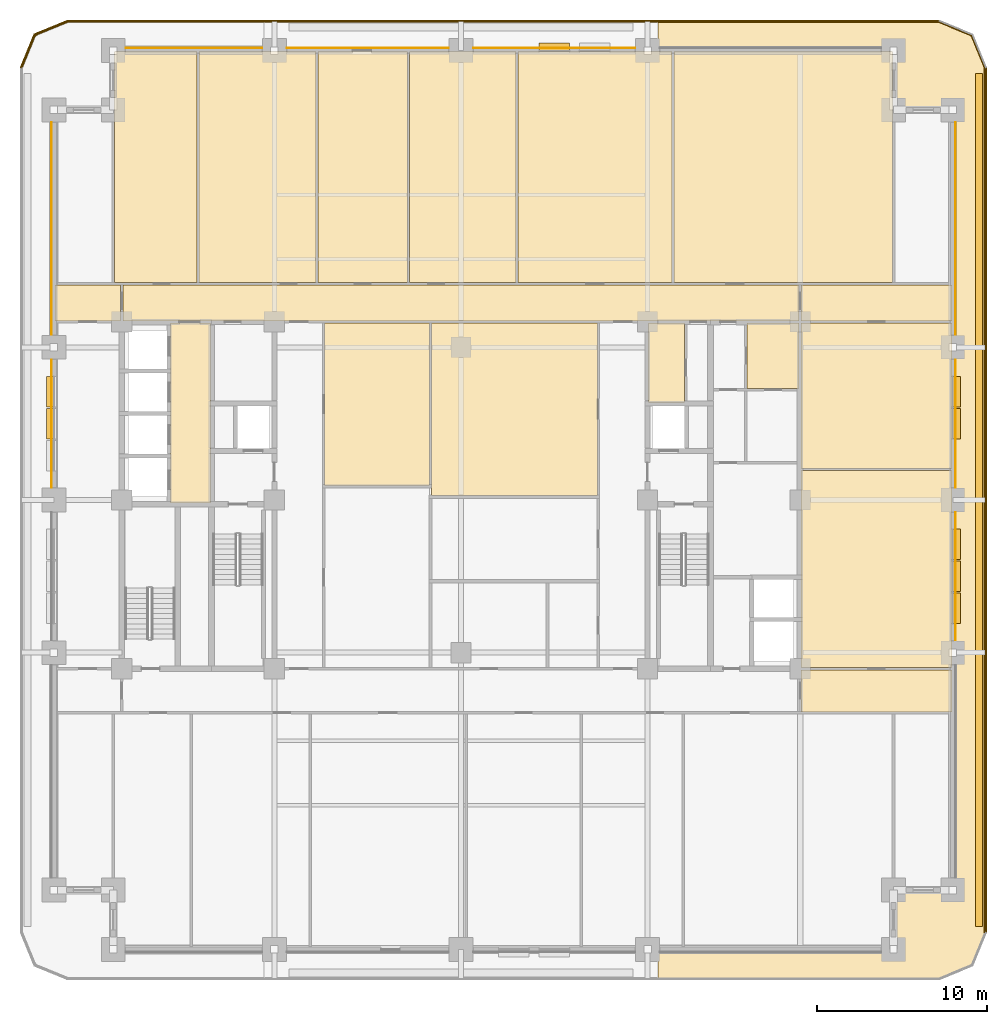
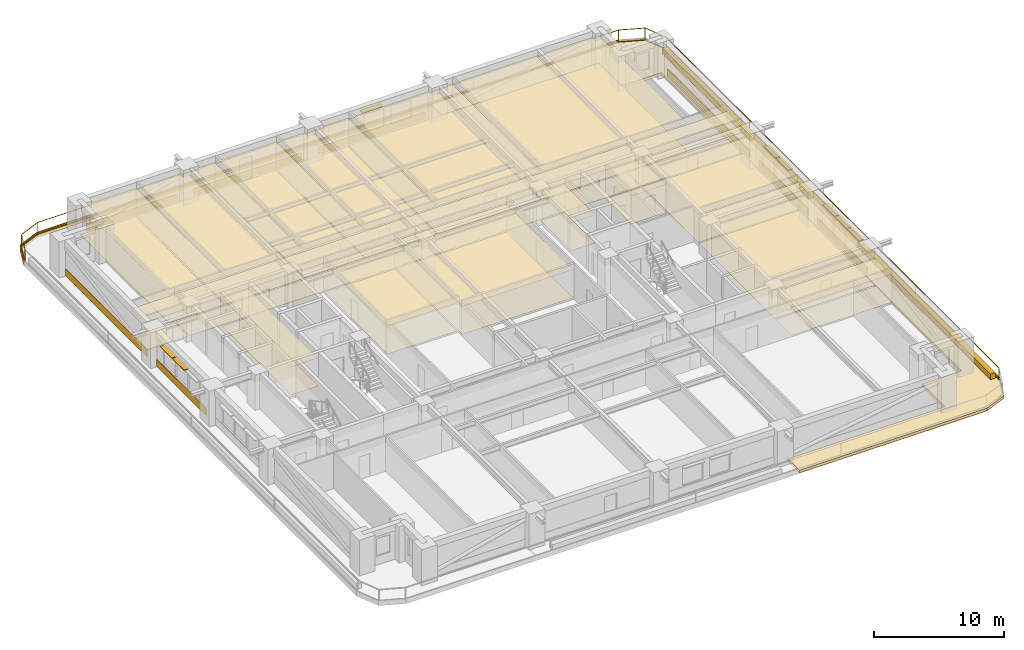
# One storey, part 14 of 15: 48 coverings, 8 shading devices, 2 railings.
"""IFC4 building model written with IfcOpenShell, lengths in metres."""

from ifc_helpers import new_model, si_unit, direction, frame, frame_2d, origin, origin_2d, place, context, subcontext, project, spatial, polyline, rectangle, outline, extrude, material, layer, layer_set, type_object, element, save


model = new_model("IFC4")

# Units and contexts
model_context = context("Model", 3, precision=1e-05, world=origin(), true_north=direction((0.0, 1.0)))
body_context = subcontext(model_context, "Body", "Model", "MODEL_VIEW")
ifc_project = project(units=[si_unit("LENGTHUNIT", "METRE"), si_unit("AREAUNIT", "SQUARE_METRE"), si_unit("VOLUMEUNIT", "CUBIC_METRE"), si_unit("PLANEANGLEUNIT", "RADIAN"), si_unit("MASSUNIT", "GRAM", prefix="KILO")], contexts=[model_context])

# Site, building, storey
site_placement = place(None, origin())
site = spatial("IfcSite", under=ifc_project, at=site_placement, CompositionType="ELEMENT")
building_placement = place(site_placement, origin())
building = spatial("IfcBuilding", under=site, at=building_placement, Name="Zulmaris Gate Convention Tower", CompositionType="ELEMENT")
storey_placement = place(building_placement, frame((0.0, 0.0, 37.909912109375)))
storey = spatial("IfcBuildingStorey", under=building, at=storey_placement, Name="L08", CompositionType="ELEMENT", Elevation=37.909912109375)

# Coverings
ifc_material_1 = material(Name="Precast concrete C40/50", Category="concrete")
ifc_layer_1 = layer(ifc_material_1, 0.0400390625, Name="Precast concrete C40/50")
ifc_layer_set_1 = layer_set([ifc_layer_1], Name="Precast concrete C40/50")
covering_type_1 = type_object("IfcCoveringType", Name="CLAD-SPANDREL-PRECAST", PredefinedType="CLADDING", material=ifc_layer_set_1)
covering_1_placement = place(storey_placement, frame((-11.72998046875, 26.64990234375, 0.0), z_axis=(0.0, 0.0, 1.0), x_axis=(-1.0, 0.0, 0.0)))
element("IfcCovering", 1, at=covering_1_placement, inside=storey, type_object=covering_type_1, Name="CLD-L08-N-0_0", PredefinedType="CLADDING", context=body_context, shape_type="SweptSolid", body=[
    extrude(rectangle(XDim=8.0400390625, YDim=0.0400390625, at=frame_2d((4.02001953125, 0.0))), origin(), (0.0, 0.0, 1.0), 0.679931640625),
])
for number, where, z_axis, x_axis, name in (
    (2, (-0.72998046875, 26.64990234375, 0.0), (0.0, 0.0, 1.0), (-1.0, 0.0, 0.0), "CLD-L08-N-1_0"),
    (3, (10.27001953125, 26.64990234375, 0.0), (0.0, 0.0, 1.0), (-1.0, 0.0, 0.0), "CLD-L08-N-2_0"),
):
    element("IfcCovering", number, at=place(storey_placement, frame(where, z_axis=z_axis, x_axis=x_axis)), inside=storey, type_object=covering_type_1, Name=name, PredefinedType="CLADDING", context=body_context, shape_type="SweptSolid", body=[
        extrude(rectangle(XDim=9.5400390625, YDim=0.0400390625, at=frame_2d((4.77001953125, 0.0))), origin(), (0.0, 0.0, 1.0), 0.679931640625),
    ])
for number, where, z_axis, x_axis, name in (
    (4, (29.14990234375, -8.27001953125, 0.0), (0.0, 0.0, 1.0), (0.0, 1.0, 0.0), "CLD-L08-E-1_0"),
    (5, (29.14990234375, 0.72998046875, 0.0), (0.0, 0.0, 1.0), (0.0, 1.0, 0.0), "CLD-L08-E-2_0"),
):
    element("IfcCovering", number, at=place(storey_placement, frame(where, z_axis=z_axis, x_axis=x_axis)), inside=storey, type_object=covering_type_1, Name=name, PredefinedType="CLADDING", context=body_context, shape_type="SweptSolid", body=[
        extrude(rectangle(XDim=7.5400390625, YDim=0.0400390625, at=frame_2d((3.77001953125, 0.0))), origin(), (0.0, 0.0, 1.0), 0.679931640625),
    ])
covering_2_placement = place(storey_placement, frame((29.14990234375, 9.72998046875, 0.0), z_axis=(0.0, 0.0, 1.0), x_axis=(0.0, 1.0, 0.0)))
element("IfcCovering", 6, at=covering_2_placement, inside=storey, type_object=covering_type_1, Name="CLD-L08-E-3_0", PredefinedType="CLADDING", context=body_context, shape_type="SweptSolid", body=[
    extrude(rectangle(XDim=12.5400390625, YDim=0.0400390625, at=frame_2d((6.27001953125, 0.0))), origin(), (0.0, 0.0, 1.0), 0.679931640625),
])
covering_3_placement = place(storey_placement, frame((-24.14990234375, 8.27001953125, 0.0), z_axis=(0.0, 0.0, 1.0), x_axis=(0.0, -1.0, 0.0)))
element("IfcCovering", 7, at=covering_3_placement, inside=storey, type_object=covering_type_1, Name="CLD-L08-W-2_0", PredefinedType="CLADDING", context=body_context, shape_type="SweptSolid", body=[
    extrude(rectangle(XDim=7.5400390625, YDim=0.0400390625, at=frame_2d((3.77001953125, 0.0))), origin(), (0.0, 0.0, 1.0), 0.679931640625),
])
covering_4_placement = place(storey_placement, frame((-24.14990234375, 22.27001953125, 0.0), z_axis=(0.0, 0.0, 1.0), x_axis=(0.0, -1.0, 0.0)))
element("IfcCovering", 8, at=covering_4_placement, inside=storey, type_object=covering_type_1, Name="CLD-L08-W-3_0", PredefinedType="CLADDING", context=body_context, shape_type="SweptSolid", body=[
    extrude(rectangle(XDim=12.5400390625, YDim=0.0400390625, at=frame_2d((6.27001953125, 0.0))), origin(), (0.0, 0.0, 1.0), 0.679931640625),
])
ifc_material_2 = material(Name="White Glazed Architectural Precast Concrete C40/50", Category="concrete")
ifc_layer_2 = layer(ifc_material_2, 0.239990234375, Name="White Glazed Architectural Precast Concrete C40/50")
ifc_layer_set_2 = layer_set([ifc_layer_2], Name="White Glazed Architectural Precast Concrete C40/50")
covering_type_2 = type_object("IfcCoveringType", Name="CLAD-TRAY-DECK", PredefinedType="CLADDING", material=ifc_layer_set_2)
covering_5_placement = place(storey_placement, frame((0.0, 0.0, -0.300048828125)))
element("IfcCovering", 9, at=covering_5_placement, inside=storey, type_object=covering_type_2, Name="L08 East Rounded-Fascia Planter Tray Deck", PredefinedType="CLADDING", context=body_context, shape_type="SweptSolid", body=[
    extrude(outline(polyline([(28.199951171875, 28.300048828125), (30.179931640625, 27.47998046875), (31.0, 25.5), (31.0, -25.5), (30.179931640625, -27.47998046875), (28.199951171875, -28.300048828125), (11.60205078125, -28.300048828125), (11.60205078125, -26.5), (25.5, -26.5), (25.5, -23.0), (29.0, -23.0), (29.0, 23.0), (25.5, 23.0), (25.5, 26.5), (11.60205078125, 26.5), (11.60205078125, 28.300048828125), (28.199951171875, 28.300048828125)])), origin(), (0.0, 0.0, 1.0), 0.260009765625),
])
ifc_layer_3 = layer(ifc_material_2, 0.080078125, Name="White Glazed Architectural Precast Concrete C40/50")
ifc_layer_set_3 = layer_set([ifc_layer_3], Name="White Glazed Architectural Precast Concrete C40/50")
covering_type_3 = type_object("IfcCoveringType", Name="CLAD-TRAY-FASCIA", PredefinedType="CLADDING", material=ifc_layer_set_3)
covering_6_placement = place(storey_placement, frame((30.9599609375, -25.5, -0.340087890625), z_axis=(0.0, 0.0, 1.0), x_axis=(0.0, 1.0, 0.0)))
element("IfcCovering", 10, at=covering_6_placement, inside=storey, type_object=covering_type_3, Name="FSC-L08-TR-05", PredefinedType="CLADDING", context=body_context, shape_type="SweptSolid", body=[
    extrude(rectangle(XDim=51.0, YDim=0.080078125, at=frame_2d((25.5, 0.0))), origin(), (0.0, 0.0, 1.0), 0.4599609375),
])
covering_7_placement = place(storey_placement, frame((28.199951171875, 28.260009765625, -0.340087890625), z_axis=(0.0, 0.0, 1.0), x_axis=(-1.0, 0.0, 0.0)))
element("IfcCovering", 11, at=covering_7_placement, inside=storey, type_object=covering_type_3, Name="FSC-L08-TR-08", PredefinedType="CLADDING", context=body_context, shape_type="SweptSolid", body=[
    extrude(rectangle(XDim=51.39990234375, YDim=0.080078125, at=frame_2d((25.699951171875, 0.0))), origin(), (0.0, 0.0, 1.0), 0.4599609375),
])
covering_8_placement = place(storey_placement, frame((-23.184814453125, 28.262939453125, -0.340087890625), z_axis=(0.0, 0.0, 1.0), x_axis=(-0.923873803533, -0.382697263049, 0.0)))
element("IfcCovering", 12, at=covering_8_placement, inside=storey, type_object=covering_type_3, Name="FSC-L08-TR-09", PredefinedType="CLADDING", context=body_context, shape_type="SweptSolid", body=[
    extrude(rectangle(XDim=2.142822265625, YDim=0.080078125, at=frame_2d((1.0712890625, 0.0))), origin(), (0.0, 0.0, 1.0), 0.4599609375),
])
covering_9_placement = place(storey_placement, frame((-25.142822265625, 27.464599609375, -0.340087890625), z_axis=(0.0, 0.0, 1.0), x_axis=(-0.382656984709, -0.923890487046, 0.0)))
element("IfcCovering", 13, at=covering_9_placement, inside=storey, type_object=covering_type_3, Name="FSC-L08-TR-10", PredefinedType="CLADDING", context=body_context, shape_type="SweptSolid", body=[
    extrude(rectangle(XDim=2.14306640625, YDim=0.080078125, at=frame_2d((1.071533203125, 0.0))), origin(), (0.0, 0.0, 1.0), 0.4599609375),
])
ifc_material_3 = material(Name="Mineral Fibre Acoustic Ceiling Tile")
ifc_layer_4 = layer(ifc_material_3, 0.02001953125, Name="Mineral Fibre Acoustic Ceiling Tile")
ifc_layer_set_4 = layer_set([ifc_layer_4], Name="Mineral Fibre Acoustic Ceiling Tile")
covering_type_4 = type_object("IfcCoveringType", Name="CLG-ACOUSTIC-600", PredefinedType="CEILING", material=ifc_layer_set_4)
covering_10_placement = place(storey_placement, frame((0.0, 0.0, 2.628173828125)))
element("IfcCovering", 14, at=covering_10_placement, inside=storey, type_object=covering_type_4, Name="CLG-L08-R12", PredefinedType="CEILING", context=body_context, shape_type="SweptSolid", body=[
    extrude(outline(polyline([(11.06005859375, 5.760009765625), (13.18994140625, 5.760009765625), (13.18994140625, 10.43994140625), (11.06005859375, 10.43994140625), (11.06005859375, 5.760009765625)])), origin(), (0.0, 0.0, 1.0), 0.02001953125),
])
covering_11_placement = place(storey_placement, frame((0.0, 0.0, 2.628173828125)))
element("IfcCovering", 15, at=covering_11_placement, inside=storey, type_object=covering_type_4, Name="CLG-L08-R16", PredefinedType="CEILING", context=body_context, shape_type="SweptSolid", body=[
    extrude(outline(polyline([(-17.139892578125, -0.18994140625), (-14.760009765625, -0.18994140625), (-14.760009765625, 10.43994140625), (-17.139892578125, 10.43994140625), (-17.139892578125, -0.18994140625)])), origin(), (0.0, 0.0, 1.0), 0.02001953125),
])
covering_12_placement = place(storey_placement, frame((0.0, 0.0, 2.628173828125)))
element("IfcCovering", 16, at=covering_12_placement, inside=storey, type_object=covering_type_4, Name="CLG-L08-R27", PredefinedType="CEILING", context=body_context, shape_type="SweptSolid", body=[
    extrude(outline(polyline([(16.860107421875, 6.56005859375), (19.93994140625, 6.56005859375), (19.93994140625, 10.43994140625), (16.860107421875, 10.43994140625), (16.860107421875, 6.56005859375)])), origin(), (0.0, 0.0, 1.0), 0.02001953125),
])
covering_13_placement = place(storey_placement, frame((0.0, 0.0, 2.628173828125)))
element("IfcCovering", 17, at=covering_13_placement, inside=storey, type_object=covering_type_4, Name="CLG-L08-R31", PredefinedType="CEILING", context=body_context, shape_type="SweptSolid", body=[
    extrude(outline(polyline([(-19.93994140625, 10.56005859375), (19.93994140625, 10.56005859375), (19.93994140625, 12.68994140625), (-19.93994140625, 12.68994140625), (-19.93994140625, 10.56005859375)])), origin(), (0.0, 0.0, 1.0), 0.02001953125),
])
covering_14_placement = place(storey_placement, frame((0.0, 0.0, 2.68017578125)))
element("IfcCovering", 18, at=covering_14_placement, inside=storey, type_object=covering_type_4, Name="CLG-L08-R35", PredefinedType="CEILING", context=body_context, shape_type="SweptSolid", body=[
    extrude(outline(polyline([(-20.43994140625, 12.81005859375), (-15.56005859375, 12.81005859375), (-15.56005859375, 26.43994140625), (-20.43994140625, 26.43994140625), (-20.43994140625, 12.81005859375)])), origin(), (0.0, 0.0, 1.0), 0.02001953125),
])
covering_15_placement = place(storey_placement, frame((0.0, 0.0, 2.628173828125)))
element("IfcCovering", 19, at=covering_15_placement, inside=storey, type_object=covering_type_4, Name="CLG-L08-R36", PredefinedType="CEILING", context=body_context, shape_type="SweptSolid", body=[
    extrude(outline(polyline([(-15.43994140625, 12.81005859375), (-8.56005859375, 12.81005859375), (-8.56005859375, 26.43994140625), (-15.43994140625, 26.43994140625), (-15.43994140625, 12.81005859375)])), origin(), (0.0, 0.0, 1.0), 0.02001953125),
])
covering_16_placement = place(storey_placement, frame((0.0, 0.0, 2.68017578125)))
element("IfcCovering", 20, at=covering_16_placement, inside=storey, type_object=covering_type_4, Name="CLG-L08-R37", PredefinedType="CEILING", context=body_context, shape_type="SweptSolid", body=[
    extrude(outline(polyline([(-8.43994140625, 12.81005859375), (-3.159912109375, 12.81005859375), (-3.159912109375, 26.43994140625), (-8.43994140625, 26.43994140625), (-8.43994140625, 12.81005859375)])), origin(), (0.0, 0.0, 1.0), 0.02001953125),
])
covering_17_placement = place(storey_placement, frame((0.0, 0.0, 2.628173828125)))
element("IfcCovering", 21, at=covering_17_placement, inside=storey, type_object=covering_type_4, Name="CLG-L08-R38", PredefinedType="CEILING", context=body_context, shape_type="SweptSolid", body=[
    extrude(outline(polyline([(-3.0400390625, 12.81005859375), (3.239990234375, 12.81005859375), (3.239990234375, 26.43994140625), (-3.0400390625, 26.43994140625), (-3.0400390625, 12.81005859375)])), origin(), (0.0, 0.0, 1.0), 0.02001953125),
])
covering_18_placement = place(storey_placement, frame((0.0, 0.0, 2.628173828125)))
element("IfcCovering", 22, at=covering_18_placement, inside=storey, type_object=covering_type_4, Name="CLG-L08-R39", PredefinedType="CEILING", context=body_context, shape_type="SweptSolid", body=[
    extrude(outline(polyline([(3.360107421875, 12.81005859375), (12.43994140625, 12.81005859375), (12.43994140625, 26.43994140625), (3.360107421875, 26.43994140625), (3.360107421875, 12.81005859375)])), origin(), (0.0, 0.0, 1.0), 0.02001953125),
])
covering_19_placement = place(storey_placement, frame((0.0, 0.0, 2.628173828125)))
element("IfcCovering", 23, at=covering_19_placement, inside=storey, type_object=covering_type_4, Name="CLG-L08-R40", PredefinedType="CEILING", context=body_context, shape_type="SweptSolid", body=[
    extrude(outline(polyline([(12.56005859375, 12.81005859375), (25.43994140625, 12.81005859375), (25.43994140625, 26.43994140625), (12.56005859375, 26.43994140625), (12.56005859375, 12.81005859375)])), origin(), (0.0, 0.0, 1.0), 0.02001953125),
])
covering_20_placement = place(storey_placement, frame((0.0, 0.0, 2.628173828125)))
element("IfcCovering", 24, at=covering_20_placement, inside=storey, type_object=covering_type_4, Name="CLG-L08-R47", PredefinedType="CEILING", context=body_context, shape_type="SweptSolid", body=[
    extrude(outline(polyline([(-8.0400390625, 0.860107421875), (-1.860107421875, 0.860107421875), (-1.860107421875, 10.43994140625), (-8.0400390625, 10.43994140625), (-8.0400390625, 0.860107421875)])), origin(), (0.0, 0.0, 1.0), 0.02001953125),
])
covering_21_placement = place(storey_placement, frame((0.0, 0.0, 2.628173828125)))
element("IfcCovering", 25, at=covering_21_placement, inside=storey, type_object=covering_type_4, Name="CLG-L08-R49", PredefinedType="CEILING", context=body_context, shape_type="SweptSolid", body=[
    extrude(outline(polyline([(-1.739990234375, 0.260009765625), (8.0400390625, 0.260009765625), (8.0400390625, 10.43994140625), (-1.739990234375, 10.43994140625), (-1.739990234375, 0.260009765625)])), origin(), (0.0, 0.0, 1.0), 0.02001953125),
])
covering_22_placement = place(storey_placement, frame((0.0, 0.0, 2.628173828125)))
element("IfcCovering", 26, at=covering_22_placement, inside=storey, type_object=covering_type_4, Name="CLG-L08-R53", PredefinedType="CEILING", context=body_context, shape_type="SweptSolid", body=[
    extrude(outline(polyline([(-23.93994140625, 10.56005859375), (-20.06005859375, 10.56005859375), (-20.06005859375, 12.68994140625), (-23.93994140625, 12.68994140625), (-23.93994140625, 10.56005859375)])), origin(), (0.0, 0.0, 1.0), 0.02001953125),
])
covering_23_placement = place(storey_placement, frame((0.0, 0.0, 2.628173828125)))
element("IfcCovering", 27, at=covering_23_placement, inside=storey, type_object=covering_type_4, Name="CLG-L08-R56", PredefinedType="CEILING", context=body_context, shape_type="SweptSolid", body=[
    extrude(outline(polyline([(20.06005859375, 10.56005859375), (28.93994140625, 10.56005859375), (28.93994140625, 12.68994140625), (20.06005859375, 12.68994140625), (20.06005859375, 10.56005859375)])), origin(), (0.0, 0.0, 1.0), 0.02001953125),
])
covering_24_placement = place(storey_placement, frame((0.0, 0.0, 2.628173828125)))
element("IfcCovering", 28, at=covering_24_placement, inside=storey, type_object=covering_type_4, Name="CLG-L08-R57", PredefinedType="CEILING", context=body_context, shape_type="SweptSolid", body=[
    extrude(outline(polyline([(20.06005859375, -12.489990234375), (28.93994140625, -12.489990234375), (28.93994140625, -10.010009765625), (20.06005859375, -10.010009765625), (20.06005859375, -12.489990234375)])), origin(), (0.0, 0.0, 1.0), 0.02001953125),
])
covering_25_placement = place(storey_placement, frame((0.0, 0.0, 2.628173828125)))
element("IfcCovering", 29, at=covering_25_placement, inside=storey, type_object=covering_type_4, Name="CLG-L08-R58", PredefinedType="CEILING", context=body_context, shape_type="SweptSolid", body=[
    extrude(outline(polyline([(20.06005859375, 1.860107421875), (28.93994140625, 1.860107421875), (28.93994140625, 10.43994140625), (20.06005859375, 10.43994140625), (20.06005859375, 1.860107421875)])), origin(), (0.0, 0.0, 1.0), 0.02001953125),
])
covering_26_placement = place(storey_placement, frame((0.0, 0.0, 2.628173828125)))
element("IfcCovering", 30, at=covering_26_placement, inside=storey, type_object=covering_type_4, Name="CLG-L08-R59", PredefinedType="CEILING", context=body_context, shape_type="SweptSolid", body=[
    extrude(outline(polyline([(20.06005859375, -9.889892578125), (28.93994140625, -9.889892578125), (28.93994140625, 1.739990234375), (20.06005859375, 1.739990234375), (20.06005859375, -9.889892578125)])), origin(), (0.0, 0.0, 1.0), 0.02001953125),
])
ifc_material_4 = material(Name="Woven Acoustic Wool Carpet Tile")
ifc_layer_5 = layer(ifc_material_4, 0.02001953125, Name="Woven Acoustic Wool Carpet Tile")
ifc_layer_set_5 = layer_set([ifc_layer_5], Name="Woven Acoustic Wool Carpet Tile")
covering_type_5 = type_object("IfcCoveringType", Name="FLR-CARPET-12", PredefinedType="FLOORING", material=ifc_layer_set_5)
covering_27_placement = place(storey_placement, origin())
element("IfcCovering", 31, at=covering_27_placement, inside=storey, type_object=covering_type_5, Name="FLR-L08-R12", PredefinedType="FLOORING", context=body_context, shape_type="SweptSolid", body=[
    extrude(outline(polyline([(11.06005859375, 5.760009765625), (13.18994140625, 5.760009765625), (13.18994140625, 10.43994140625), (11.06005859375, 10.43994140625), (11.06005859375, 5.760009765625)])), origin(), (0.0, 0.0, 1.0), 0.02001953125),
])
covering_28_placement = place(storey_placement, origin())
element("IfcCovering", 32, at=covering_28_placement, inside=storey, type_object=covering_type_5, Name="FLR-L08-R16", PredefinedType="FLOORING", context=body_context, shape_type="SweptSolid", body=[
    extrude(outline(polyline([(-17.139892578125, -0.18994140625), (-14.760009765625, -0.18994140625), (-14.760009765625, 10.43994140625), (-17.139892578125, 10.43994140625), (-17.139892578125, -0.18994140625)])), origin(), (0.0, 0.0, 1.0), 0.02001953125),
])
covering_29_placement = place(storey_placement, origin())
element("IfcCovering", 33, at=covering_29_placement, inside=storey, type_object=covering_type_5, Name="FLR-L08-R27", PredefinedType="FLOORING", context=body_context, shape_type="SweptSolid", body=[
    extrude(outline(polyline([(16.860107421875, 6.56005859375), (19.93994140625, 6.56005859375), (19.93994140625, 10.43994140625), (16.860107421875, 10.43994140625), (16.860107421875, 6.56005859375)])), origin(), (0.0, 0.0, 1.0), 0.02001953125),
])
covering_30_placement = place(storey_placement, origin())
element("IfcCovering", 34, at=covering_30_placement, inside=storey, type_object=covering_type_5, Name="FLR-L08-R31", PredefinedType="FLOORING", context=body_context, shape_type="SweptSolid", body=[
    extrude(outline(polyline([(-19.93994140625, 10.56005859375), (19.93994140625, 10.56005859375), (19.93994140625, 12.68994140625), (-19.93994140625, 12.68994140625), (-19.93994140625, 10.56005859375)])), origin(), (0.0, 0.0, 1.0), 0.02001953125),
])
covering_31_placement = place(storey_placement, origin())
element("IfcCovering", 35, at=covering_31_placement, inside=storey, type_object=covering_type_5, Name="FLR-L08-R36", PredefinedType="FLOORING", context=body_context, shape_type="SweptSolid", body=[
    extrude(outline(polyline([(-15.43994140625, 12.81005859375), (-8.56005859375, 12.81005859375), (-8.56005859375, 26.43994140625), (-15.43994140625, 26.43994140625), (-15.43994140625, 12.81005859375)])), origin(), (0.0, 0.0, 1.0), 0.02001953125),
])
covering_32_placement = place(storey_placement, origin())
element("IfcCovering", 36, at=covering_32_placement, inside=storey, type_object=covering_type_5, Name="FLR-L08-R37", PredefinedType="FLOORING", context=body_context, shape_type="SweptSolid", body=[
    extrude(outline(polyline([(-8.43994140625, 12.81005859375), (-3.159912109375, 12.81005859375), (-3.159912109375, 26.43994140625), (-8.43994140625, 26.43994140625), (-8.43994140625, 12.81005859375)])), origin(), (0.0, 0.0, 1.0), 0.02001953125),
])
covering_33_placement = place(storey_placement, origin())
element("IfcCovering", 37, at=covering_33_placement, inside=storey, type_object=covering_type_5, Name="FLR-L08-R38", PredefinedType="FLOORING", context=body_context, shape_type="SweptSolid", body=[
    extrude(outline(polyline([(-3.0400390625, 12.81005859375), (3.239990234375, 12.81005859375), (3.239990234375, 26.43994140625), (-3.0400390625, 26.43994140625), (-3.0400390625, 12.81005859375)])), origin(), (0.0, 0.0, 1.0), 0.02001953125),
])
covering_34_placement = place(storey_placement, origin())
element("IfcCovering", 38, at=covering_34_placement, inside=storey, type_object=covering_type_5, Name="FLR-L08-R40", PredefinedType="FLOORING", context=body_context, shape_type="SweptSolid", body=[
    extrude(outline(polyline([(12.56005859375, 12.81005859375), (25.43994140625, 12.81005859375), (25.43994140625, 26.43994140625), (12.56005859375, 26.43994140625), (12.56005859375, 12.81005859375)])), origin(), (0.0, 0.0, 1.0), 0.02001953125),
])
covering_35_placement = place(storey_placement, origin())
element("IfcCovering", 39, at=covering_35_placement, inside=storey, type_object=covering_type_5, Name="FLR-L08-R49", PredefinedType="FLOORING", context=body_context, shape_type="SweptSolid", body=[
    extrude(outline(polyline([(-1.739990234375, 0.260009765625), (8.0400390625, 0.260009765625), (8.0400390625, 10.43994140625), (-1.739990234375, 10.43994140625), (-1.739990234375, 0.260009765625)])), origin(), (0.0, 0.0, 1.0), 0.02001953125),
])
covering_36_placement = place(storey_placement, origin())
element("IfcCovering", 40, at=covering_36_placement, inside=storey, type_object=covering_type_5, Name="FLR-L08-R53", PredefinedType="FLOORING", context=body_context, shape_type="SweptSolid", body=[
    extrude(outline(polyline([(-23.93994140625, 10.56005859375), (-20.06005859375, 10.56005859375), (-20.06005859375, 12.68994140625), (-23.93994140625, 12.68994140625), (-23.93994140625, 10.56005859375)])), origin(), (0.0, 0.0, 1.0), 0.02001953125),
])
covering_37_placement = place(storey_placement, origin())
element("IfcCovering", 41, at=covering_37_placement, inside=storey, type_object=covering_type_5, Name="FLR-L08-R56", PredefinedType="FLOORING", context=body_context, shape_type="SweptSolid", body=[
    extrude(outline(polyline([(20.06005859375, 10.56005859375), (28.93994140625, 10.56005859375), (28.93994140625, 12.68994140625), (20.06005859375, 12.68994140625), (20.06005859375, 10.56005859375)])), origin(), (0.0, 0.0, 1.0), 0.02001953125),
])
covering_38_placement = place(storey_placement, origin())
element("IfcCovering", 42, at=covering_38_placement, inside=storey, type_object=covering_type_5, Name="FLR-L08-R57", PredefinedType="FLOORING", context=body_context, shape_type="SweptSolid", body=[
    extrude(outline(polyline([(20.06005859375, -12.489990234375), (28.93994140625, -12.489990234375), (28.93994140625, -10.010009765625), (20.06005859375, -10.010009765625), (20.06005859375, -12.489990234375)])), origin(), (0.0, 0.0, 1.0), 0.02001953125),
])
covering_39_placement = place(storey_placement, origin())
element("IfcCovering", 43, at=covering_39_placement, inside=storey, type_object=covering_type_5, Name="FLR-L08-R58", PredefinedType="FLOORING", context=body_context, shape_type="SweptSolid", body=[
    extrude(outline(polyline([(20.06005859375, 1.860107421875), (28.93994140625, 1.860107421875), (28.93994140625, 10.43994140625), (20.06005859375, 10.43994140625), (20.06005859375, 1.860107421875)])), origin(), (0.0, 0.0, 1.0), 0.02001953125),
])
covering_40_placement = place(storey_placement, origin())
element("IfcCovering", 44, at=covering_40_placement, inside=storey, type_object=covering_type_5, Name="FLR-L08-R59", PredefinedType="FLOORING", context=body_context, shape_type="SweptSolid", body=[
    extrude(outline(polyline([(20.06005859375, -9.889892578125), (28.93994140625, -9.889892578125), (28.93994140625, 1.739990234375), (20.06005859375, 1.739990234375), (20.06005859375, -9.889892578125)])), origin(), (0.0, 0.0, 1.0), 0.02001953125),
])
ifc_material_5 = material(Name="Engineered Teak Parquet Flooring")
ifc_layer_6 = layer(ifc_material_5, 0.02001953125, Name="Engineered Teak Parquet Flooring")
ifc_layer_set_6 = layer_set([ifc_layer_6], Name="Engineered Teak Parquet Flooring")
covering_type_6 = type_object("IfcCoveringType", Name="FLR-TIMBER-18", PredefinedType="FLOORING", material=ifc_layer_set_6)
covering_41_placement = place(storey_placement, origin())
element("IfcCovering", 45, at=covering_41_placement, inside=storey, type_object=covering_type_6, Name="FLR-L08-R35", PredefinedType="FLOORING", context=body_context, shape_type="SweptSolid", body=[
    extrude(outline(polyline([(-20.43994140625, 12.81005859375), (-15.56005859375, 12.81005859375), (-15.56005859375, 26.43994140625), (-20.43994140625, 26.43994140625), (-20.43994140625, 12.81005859375)])), origin(), (0.0, 0.0, 1.0), 0.02001953125),
])
covering_42_placement = place(storey_placement, origin())
element("IfcCovering", 46, at=covering_42_placement, inside=storey, type_object=covering_type_6, Name="FLR-L08-R39", PredefinedType="FLOORING", context=body_context, shape_type="SweptSolid", body=[
    extrude(outline(polyline([(3.360107421875, 12.81005859375), (12.43994140625, 12.81005859375), (12.43994140625, 26.43994140625), (3.360107421875, 26.43994140625), (3.360107421875, 12.81005859375)])), origin(), (0.0, 0.0, 1.0), 0.02001953125),
])
covering_43_placement = place(storey_placement, origin())
element("IfcCovering", 47, at=covering_43_placement, inside=storey, type_object=covering_type_6, Name="FLR-L08-R47", PredefinedType="FLOORING", context=body_context, shape_type="SweptSolid", body=[
    extrude(outline(polyline([(-8.0400390625, 0.860107421875), (-1.860107421875, 0.860107421875), (-1.860107421875, 10.43994140625), (-8.0400390625, 10.43994140625), (-8.0400390625, 0.860107421875)])), origin(), (0.0, 0.0, 1.0), 0.02001953125),
])
ifc_material_6 = material(Name="Botanical Green Glazed Precast Concrete C40/50", Category="concrete")
ifc_layer_7 = layer(ifc_material_6, 0.419921875, Name="Botanical Green Glazed Precast Concrete C40/50")
ifc_layer_set_7 = layer_set([ifc_layer_7], Name="Botanical Green Glazed Precast Concrete C40/50")
covering_type_7 = type_object("IfcCoveringType", Name="PLANTER-BOX-200", PredefinedType="CLADDING", material=ifc_layer_set_7)
covering_44_placement = place(storey_placement, frame((0.0, 0.0, -0.0400390625)))
element("IfcCovering", 48, at=covering_44_placement, inside=storey, type_object=covering_type_7, Name="L08 E Full-Length Balcony Tree Planter Trough", PredefinedType="CLADDING", context=body_context, shape_type="SweptSolid", body=[
    extrude(outline(polyline([(30.340087890625, -25.14990234375), (30.760009765625, -25.14990234375), (30.760009765625, 25.14990234375), (30.340087890625, 25.14990234375), (30.340087890625, -25.14990234375)])), origin(), (0.0, 0.0, 1.0), 0.52001953125),
])

# Railings
ifc_material_7 = material(Name="Laminated Glass and Stainless Steel", Category="steel")
railing_type = type_object("IfcRailingType", Name="RL-BALC-1150", PredefinedType="BALUSTRADE", material=ifc_material_7)
railing_1_placement = place(storey_placement, frame((30.8798828125, -25.5, -0.0400390625)))
element("IfcRailing", 49, at=railing_1_placement, inside=storey, type_object=railing_type, Name="RL-L08-BALC-E", PredefinedType="BALUSTRADE", context=body_context, shape_type="SweptSolid", body=[
    extrude(rectangle(XDim=0.048095703125, YDim=0.048095703125, at=origin_2d()), frame((0.0, 0.0, 1.1259765625), z_axis=(0.0, 1.0, 0.0), x_axis=(-1.0, 0.0, 0.0)), (0.0, 0.0, 1.0), 51.0),
    extrude(rectangle(XDim=0.048095703125, YDim=0.048095703125, at=origin_2d()), frame((0.0, 0.0, 0.02392578125), z_axis=(0.0, 1.0, 0.0), x_axis=(-1.0, 0.0, 0.0)), (0.0, 0.0, 1.0), 51.0),
    extrude(rectangle(XDim=0.0419921875, YDim=0.0419921875, at=origin_2d()), origin(), (0.0, 0.0, 1.0), 1.101806640625),
    extrude(rectangle(XDim=0.0419921875, YDim=0.0419921875, at=origin_2d()), frame((0.0, 12.75, 0.0)), (0.0, 0.0, 1.0), 1.101806640625),
    extrude(rectangle(XDim=0.0419921875, YDim=0.0419921875, at=origin_2d()), frame((0.0, 25.5, 0.0)), (0.0, 0.0, 1.0), 1.101806640625),
    extrude(rectangle(XDim=0.0419921875, YDim=0.0419921875, at=origin_2d()), frame((0.0, 38.25, 0.0)), (0.0, 0.0, 1.0), 1.101806640625),
    extrude(rectangle(XDim=0.0419921875, YDim=0.0419921875, at=origin_2d()), frame((0.0, 51.0, 0.0)), (0.0, 0.0, 1.0), 1.101806640625),
])
railing_2_placement = place(storey_placement, frame((30.8798828125, 25.5, -0.0400390625)))
element("IfcRailing", 50, at=railing_2_placement, inside=storey, type_object=railing_type, Name="RL-L08-BALC-N", PredefinedType="BALUSTRADE", context=body_context, shape_type="SweptSolid", body=[
    extrude(rectangle(XDim=0.048095703125, YDim=0.048095703125, at=origin_2d()), frame((0.0, 0.0, 1.1259765625), z_axis=(-0.382670664694, 0.92388482095, 0.0), x_axis=(-0.92388482095, -0.382670664694, 0.0)), (0.0, 0.0, 1.0), 2.051025390625),
    extrude(rectangle(XDim=0.048095703125, YDim=0.048095703125, at=origin_2d()), frame((0.0, 0.0, 0.02392578125), z_axis=(-0.382670664694, 0.92388482095, 0.0), x_axis=(-0.92388482095, -0.382670664694, 0.0)), (0.0, 0.0, 1.0), 2.051025390625),
    extrude(rectangle(XDim=0.048095703125, YDim=0.048095703125, at=origin_2d()), frame((-0.784912109375, 1.89501953125, 1.1259765625), z_axis=(-0.92388482095, 0.382670664694, 0.0), x_axis=(-0.382670664694, -0.92388482095, 0.0)), (0.0, 0.0, 1.0), 2.051025390625),
    extrude(rectangle(XDim=0.048095703125, YDim=0.048095703125, at=origin_2d()), frame((-0.784912109375, 1.89501953125, 0.02392578125), z_axis=(-0.92388482095, 0.382670664694, 0.0), x_axis=(-0.382670664694, -0.92388482095, 0.0)), (0.0, 0.0, 1.0), 2.051025390625),
    extrude(rectangle(XDim=0.048095703125, YDim=0.048095703125, at=origin_2d()), frame((-2.679931640625, 2.679931640625, 1.1259765625), z_axis=(-1.0, 0.0, 0.0), x_axis=(0.0, -1.0, 0.0)), (0.0, 0.0, 1.0), 51.39990234375),
    extrude(rectangle(XDim=0.048095703125, YDim=0.048095703125, at=origin_2d()), frame((-2.679931640625, 2.679931640625, 0.02392578125), z_axis=(-1.0, 0.0, 0.0), x_axis=(0.0, -1.0, 0.0)), (0.0, 0.0, 1.0), 51.39990234375),
    extrude(rectangle(XDim=0.048095703125, YDim=0.048095703125, at=origin_2d()), frame((-54.079833984375, 2.679931640625, 1.1259765625), z_axis=(-0.92388482095, -0.382670664694, 0.0), x_axis=(0.382670664694, -0.92388482095, 0.0)), (0.0, 0.0, 1.0), 2.051025390625),
    extrude(rectangle(XDim=0.048095703125, YDim=0.048095703125, at=origin_2d()), frame((-54.079833984375, 2.679931640625, 0.02392578125), z_axis=(-0.92388482095, -0.382670664694, 0.0), x_axis=(0.382670664694, -0.92388482095, 0.0)), (0.0, 0.0, 1.0), 2.051025390625),
    extrude(rectangle(XDim=0.048095703125, YDim=0.048095703125, at=origin_2d()), frame((-55.974853515625, 1.89501953125, 1.1259765625), z_axis=(-0.382670664694, -0.92388482095, 0.0), x_axis=(0.92388482095, -0.382670664694, 0.0)), (0.0, 0.0, 1.0), 2.051025390625),
    extrude(rectangle(XDim=0.048095703125, YDim=0.048095703125, at=origin_2d()), frame((-55.974853515625, 1.89501953125, 0.02392578125), z_axis=(-0.382670664694, -0.92388482095, 0.0), x_axis=(0.92388482095, -0.382670664694, 0.0)), (0.0, 0.0, 1.0), 2.051025390625),
    extrude(rectangle(XDim=0.0419921875, YDim=0.0419921875, at=origin_2d()), origin(), (0.0, 0.0, 1.0), 1.101806640625),
    extrude(rectangle(XDim=0.0419921875, YDim=0.0419921875, at=origin_2d()), frame((-0.784912109375, 1.89501953125, 0.0)), (0.0, 0.0, 1.0), 1.101806640625),
    extrude(rectangle(XDim=0.0419921875, YDim=0.0419921875, at=origin_2d()), frame((-2.679931640625, 2.679931640625, 0.0)), (0.0, 0.0, 1.0), 1.101806640625),
    extrude(rectangle(XDim=0.0419921875, YDim=0.0419921875, at=origin_2d()), frame((-15.52978515625, 2.679931640625, 0.0)), (0.0, 0.0, 1.0), 1.101806640625),
    extrude(rectangle(XDim=0.0419921875, YDim=0.0419921875, at=origin_2d()), frame((-28.3798828125, 2.679931640625, 0.0)), (0.0, 0.0, 1.0), 1.101806640625),
    extrude(rectangle(XDim=0.0419921875, YDim=0.0419921875, at=origin_2d()), frame((-41.22998046875, 2.679931640625, 0.0)), (0.0, 0.0, 1.0), 1.101806640625),
    extrude(rectangle(XDim=0.0419921875, YDim=0.0419921875, at=origin_2d()), frame((-54.079833984375, 2.679931640625, 0.0)), (0.0, 0.0, 1.0), 1.101806640625),
    extrude(rectangle(XDim=0.0419921875, YDim=0.0419921875, at=origin_2d()), frame((-55.974853515625, 1.89501953125, 0.0)), (0.0, 0.0, 1.0), 1.101806640625),
    extrude(rectangle(XDim=0.0419921875, YDim=0.0419921875, at=origin_2d()), frame((-56.759765625, 0.0, 0.0)), (0.0, 0.0, 1.0), 1.101806640625),
])

# Shading devices
ifc_material_8 = material(Name="Glazed Ceramic Terracotta", Category="masonry")
ifc_layer_8 = layer(ifc_material_8, 0.070068359375, Name="Glazed Ceramic Terracotta")
ifc_layer_set_8 = layer_set([ifc_layer_8], Name="Glazed Ceramic Terracotta")
shading_device_type = type_object("IfcShadingDeviceType", Name="SHD-SUNSHADE-TC", PredefinedType="AWNING", material=ifc_layer_set_8)
for number, where, z_axis, x_axis, name in (
    (51, (6.39990234375, 26.719970703125, 2.530029296875), (0.0, 0.0, 1.0), (-1.0, 0.0, 0.0), "SHD-EW-L08-N-2_0-2"),
    (52, (29.219970703125, -7.284912109375, 2.530029296875), (0.0, 0.0, 1.0), (0.0, 1.0, 0.0), "SHD-EW-L08-E-1_0-1"),
    (53, (29.219970703125, -5.39990234375, 2.530029296875), (0.0, 0.0, 1.0), (0.0, 1.0, 0.0), "SHD-EW-L08-E-1_0-2"),
    (54, (29.219970703125, -3.514892578125, 2.530029296875), (0.0, 0.0, 1.0), (0.0, 1.0, 0.0), "SHD-EW-L08-E-1_0-3"),
    (55, (29.219970703125, 3.60009765625, 2.530029296875), (0.0, 0.0, 1.0), (0.0, 1.0, 0.0), "SHD-EW-L08-E-2_0-2"),
    (56, (29.219970703125, 5.485107421875, 2.530029296875), (0.0, 0.0, 1.0), (0.0, 1.0, 0.0), "SHD-EW-L08-E-2_0-3"),
    (57, (-24.219970703125, 7.284912109375, 2.530029296875), (0.0, 0.0, 1.0), (0.0, -1.0, 0.0), "SHD-EW-L08-W-2_0-1"),
    (58, (-24.219970703125, 5.39990234375, 2.530029296875), (0.0, 0.0, 1.0), (0.0, -1.0, 0.0), "SHD-EW-L08-W-2_0-2"),
):
    element("IfcShadingDevice", number, at=place(storey_placement, frame(where, z_axis=z_axis, x_axis=x_axis)), inside=storey, type_object=shading_device_type, Name=name, PredefinedType="AWNING", context=body_context, shape_type="SweptSolid", body=[
        extrude(rectangle(XDim=1.7998046875, YDim=0.43994140625, at=frame_2d((0.89990234375, 0.0))), origin(), (0.0, 0.0, 1.0), 0.070068359375),
    ])

save(model, "model.ifc")
